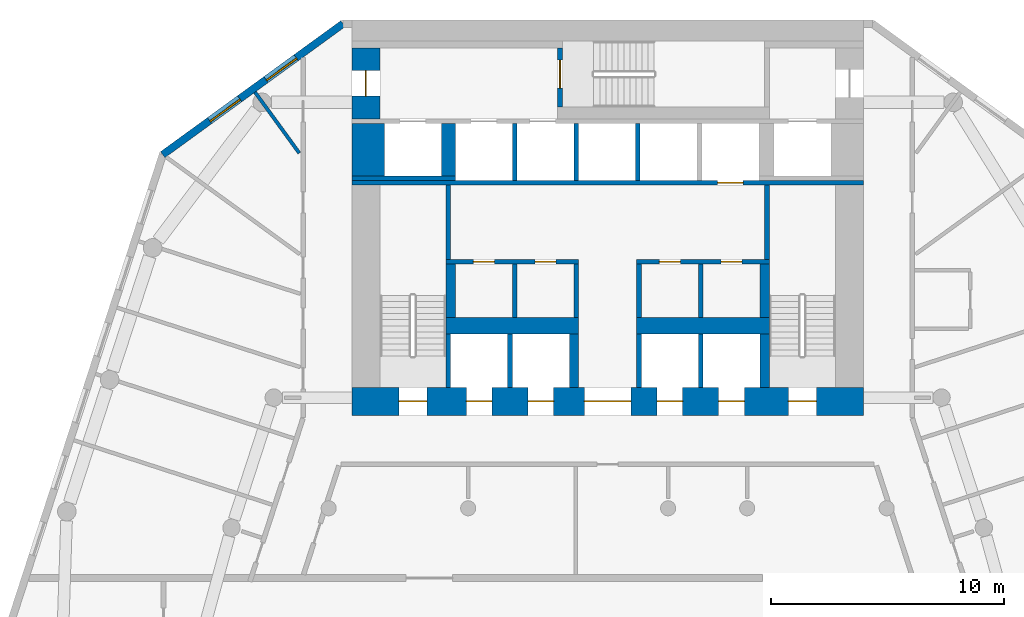
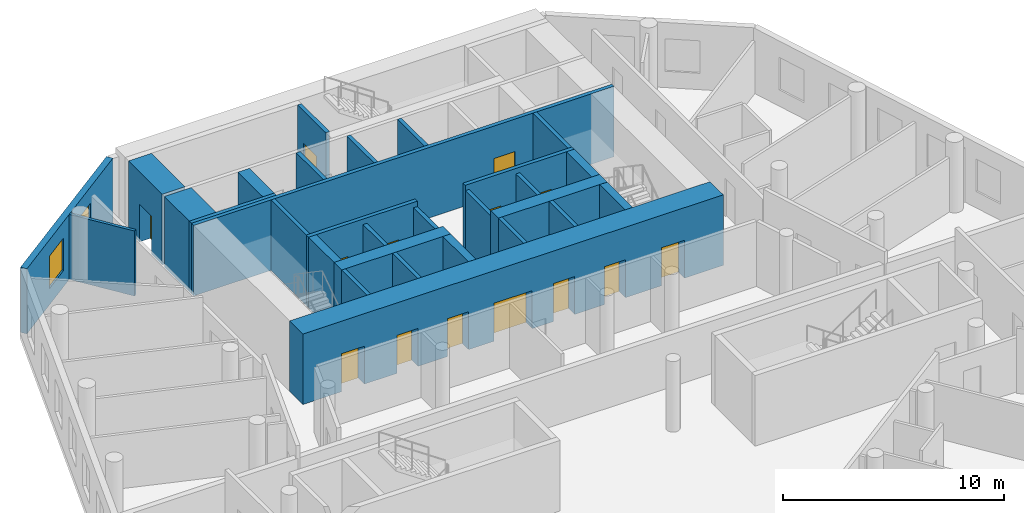
# One storey, part 5 of 9: 30 walls, 14 doors, 2 windows, 16 openings.
"""IFC4 building model written with IfcOpenShell, lengths in metres."""

from ifc_helpers import new_model, si_unit, direction, frame, frame_2d, origin, place, context, subcontext, project, spatial, rectangle, extrude, material, layer, layer_set, type_object, element, fill, save


model = new_model("IFC4")

# Units and contexts
model_context = context("Model", 3, precision=1e-05, world=origin(), true_north=direction((0.0, 1.0)))
body_context = subcontext(model_context, "Body", "Model", "MODEL_VIEW")
ifc_project = project(units=[si_unit("LENGTHUNIT", "METRE"), si_unit("AREAUNIT", "SQUARE_METRE"), si_unit("VOLUMEUNIT", "CUBIC_METRE"), si_unit("PLANEANGLEUNIT", "RADIAN"), si_unit("MASSUNIT", "GRAM", prefix="KILO")], contexts=[model_context])

# Site, building, storey
site_placement = place(None, origin())
site = spatial("IfcSite", under=ifc_project, at=site_placement, CompositionType="ELEMENT")
building_placement = place(site_placement, origin())
building = spatial("IfcBuilding", under=site, at=building_placement, Name="White Candle Pilgrim Tower", CompositionType="ELEMENT")
storey_placement = place(building_placement, frame((0.0, 0.0, 50.699951171875)))
storey = spatial("IfcBuildingStorey", under=building, at=storey_placement, Name="L09", CompositionType="ELEMENT", Elevation=50.699951171875)

# Wall, opening, door
ifc_material_1 = material(Name="Concrete C70/85", Category="concrete")
ifc_layer_1 = layer(ifc_material_1, 1.199951171875)
ifc_layer_set_1 = layer_set([ifc_layer_1], Name="Core wall 1200 mm Concrete C70/85")
wall_type_1 = type_object("IfcWallType", Name="Core wall 1200 mm Concrete C70/85", PredefinedType="SHEAR", material=ifc_layer_set_1)
wall_1_placement = place(storey_placement, frame((59.60009765625, 83.75, 0.0), z_axis=(0.0, 0.0, 1.0), x_axis=(0.0, 1.0, 0.0)))
wall_1 = element("IfcWall", 1, at=wall_1_placement, inside=storey, type_object=wall_type_1, Name="WL-L09-C44", PredefinedType="SHEAR", context=body_context, shape_type="SweptSolid", body=[
    extrude(rectangle(XDim=3.050048828125, YDim=1.199951171875, at=frame_2d((1.52490234375, 0.0))), origin(), (0.0, 0.0, 1.0), 3.900146484375),
])
opening_1_placement = place(wall_1_placement, frame((0.97509765625, 0.0, 0.0)))
opening_1 = element("IfcOpeningElement", 2, at=opening_1_placement, cuts=wall_1, Name="Opening T02-005", PredefinedType="OPENING", context=body_context, shape_type="SweptSolid", body=[
    extrude(rectangle(XDim=1.10009765625, YDim=2.10009765625, at=frame_2d((0.550048828125, 1.050048828125))), frame((0.0, 0.60986328125, 0.0), z_axis=(0.0, -1.0, 0.0), x_axis=(1.0, 0.0, 0.0)), (0.0, 0.0, 1.0), 1.219970703125),
])
ifc_material_2 = material(Name="Steel door leaf", Category="steel")
door_type_1 = type_object("IfcDoorType", Name="Fire door 1100 x 2100 EI 60", OperationType="NOTDEFINED", PredefinedType="DOOR", material=ifc_material_2)
door_1_placement = place(opening_1_placement, origin())
door_1 = element("IfcDoor", 3, at=door_1_placement, inside=storey, type_object=door_type_1, Name="Door T02-005", OperationType="SINGLE_SWING_LEFT", OverallHeight=2.10009765625, OverallWidth=1.10009765625, PredefinedType="DOOR", context=body_context, shape_type="SweptSolid", body=[
    extrude(rectangle(XDim=1.10009765625, YDim=2.10009765625, at=frame_2d((0.550048828125, 1.050048828125))), frame((0.0, 0.02490234375, 0.0), z_axis=(0.0, -1.0, 0.0), x_axis=(1.0, 0.0, 0.0)), (0.0, 0.0, 1.0), 0.050048828125),
])
fill(opening_1, door_1)

# Walls
ifc_layer_2 = layer(ifc_material_1, 1.39990234375)
ifc_layer_set_2 = layer_set([ifc_layer_2], Name="Core wall 1400 mm Concrete C70/85")
wall_type_2 = type_object("IfcWallType", Name="Core wall 1400 mm Concrete C70/85", PredefinedType="SHEAR", material=ifc_layer_set_2)
wall_2_placement = place(storey_placement, frame((59.699951171875, 81.300048828125, 0.0), z_axis=(0.0, 0.0, 1.0), x_axis=(0.0, 1.0, 0.0)))
element("IfcWall", 4, at=wall_2_placement, inside=storey, type_object=wall_type_2, Name="WL-L09-C39", PredefinedType="SHEAR", context=body_context, shape_type="SweptSolid", body=[
    extrude(rectangle(XDim=2.25, YDim=1.39990234375, at=frame_2d((1.125, 0.0))), origin(), (0.0, 0.0, 1.0), 3.900146484375),
])
ifc_layer_3 = layer(ifc_material_1, 0.199951171875)
ifc_layer_set_3 = layer_set([ifc_layer_3], Name="Core wall 200 mm Concrete C70/85")
wall_type_3 = type_object("IfcWallType", Name="Core wall 200 mm Concrete C70/85", PredefinedType="SHEAR", material=ifc_layer_set_3)
wall_3_placement = place(storey_placement, frame((59.0, 81.199951171875, 0.0), z_axis=(0.0, 0.0, 1.0), x_axis=(1.0, 0.0, 0.0)))
element("IfcWall", 5, at=wall_3_placement, inside=storey, type_object=wall_type_3, Name="WL-L09-C33", PredefinedType="SHEAR", context=body_context, shape_type="SweptSolid", body=[
    extrude(rectangle(XDim=4.449951171875, YDim=0.199951171875, at=frame_2d((2.22509765625, 0.0))), origin(), (0.0, 0.0, 1.0), 3.900146484375),
])

# Wall, openings, windows
ifc_material_3 = material(Name="Precast concrete C40/50", Category="concrete")
ifc_layer_4 = layer(ifc_material_3, 0.320068359375)
ifc_layer_set_4 = layer_set([ifc_layer_4], Name="Facade wall EW1 precast concrete C40/50 pier wall with timber-lined reveals")
wall_type_4 = type_object("IfcWallType", Name="Facade wall EW1 precast concrete C40/50 pier wall with timber-lined reveals", PredefinedType="SOLIDWALL", material=ifc_layer_set_4)
wall_4_placement = place(storey_placement, frame((58.614990234375, 87.840087890625, 0.0), z_axis=(0.0, 0.0, 1.0), x_axis=(-0.809021430096, -0.587779146998, 0.0)))
wall_4 = element("IfcWall", 6, at=wall_4_placement, inside=storey, type_object=wall_type_4, Name="Facade wall L09 NW chamfer", PredefinedType="SOLIDWALL", context=body_context, shape_type="SweptSolid", body=[
    extrude(rectangle(XDim=9.57958984375, YDim=0.320068359375, at=frame_2d((4.789794921875, 0.0))), origin(), (0.0, 0.0, 1.0), 3.60009765625),
])
opening_2_placement = place(wall_4_placement, frame((2.48974609375, 0.0, 0.89990234375)))
opening_2 = element("IfcOpeningElement", 7, at=opening_2_placement, cuts=wall_4, Name="Opening W2", PredefinedType="OPENING", context=body_context, shape_type="SweptSolid", body=[
    extrude(rectangle(XDim=1.60009765625, YDim=1.800048828125, at=frame_2d((0.800048828125, 0.89990234375))), frame((0.0, 0.169921875, 0.0), z_axis=(0.0, -1.0, 0.0), x_axis=(1.0, 0.0, 0.0)), (0.0, 0.0, 1.0), 0.340087890625),
])
opening_3_placement = place(wall_4_placement, frame((5.48974609375, 0.0, 0.89990234375)))
opening_3 = element("IfcOpeningElement", 8, at=opening_3_placement, cuts=wall_4, Name="Opening W2", PredefinedType="OPENING", context=body_context, shape_type="SweptSolid", body=[
    extrude(rectangle(XDim=1.60009765625, YDim=1.800048828125, at=frame_2d((0.800048828125, 0.89990234375))), frame((0.0, 0.169921875, 0.0), z_axis=(0.0, -1.0, 0.0), x_axis=(1.0, 0.0, 0.0)), (0.0, 0.0, 1.0), 0.340087890625),
])
ifc_material_4 = material(Name="Timber frame with triple glazing", Category="wood")
window_type = type_object("IfcWindowType", Name="Window W2 1600x1800 timber frame triple glazing", PartitioningType="SINGLE_PANEL", PredefinedType="WINDOW", material=ifc_material_4)
window_1_placement = place(opening_2_placement, origin())
window_1 = element("IfcWindow", 9, at=window_1_placement, inside=storey, type_object=window_type, Name="Window W2 L09 NW chamfer 1", OverallHeight=1.800048828125, OverallWidth=1.60009765625, PartitioningType="SINGLE_PANEL", PredefinedType="WINDOW", context=body_context, shape_type="SweptSolid", body=[
    extrude(rectangle(XDim=1.60009765625, YDim=1.800048828125, at=frame_2d((0.800048828125, 0.89990234375))), frame((0.0, 0.070068359375, 0.0), z_axis=(0.0, -1.0, 0.0), x_axis=(1.0, 0.0, 0.0)), (0.0, 0.0, 1.0), 0.06005859375),
])
fill(opening_2, window_1)
window_2_placement = place(opening_3_placement, origin())
window_2 = element("IfcWindow", 10, at=window_2_placement, inside=storey, type_object=window_type, Name="Window W2 L09 NW chamfer 2", OverallHeight=1.800048828125, OverallWidth=1.60009765625, PartitioningType="SINGLE_PANEL", PredefinedType="WINDOW", context=body_context, shape_type="SweptSolid", body=[
    extrude(rectangle(XDim=1.60009765625, YDim=1.800048828125, at=frame_2d((0.800048828125, 0.89990234375))), frame((0.0, 0.070068359375, 0.0), z_axis=(0.0, -1.0, 0.0), x_axis=(1.0, 0.0, 0.0)), (0.0, 0.0, 1.0), 0.06005859375),
])
fill(opening_3, window_2)

# Walls
ifc_material_5 = material(Name="Gypsum board on steel studs", Category="steel")
ifc_layer_5 = layer(ifc_material_5, 0.199951171875)
ifc_layer_set_5 = layer_set([ifc_layer_5], Name="Lobby wall 200 mm EI 60")
wall_type_5 = type_object("IfcWallType", Name="Lobby wall 200 mm EI 60", PredefinedType="PARTITIONING", material=ifc_layer_set_5)
for number, where, z_axis, x_axis, name in (
    (11, (66.0, 75.199951171875, 0.0), (0.0, 0.0, 1.0), (0.0, 1.0, 0.0), "WL-L09-C23"),
    (12, (68.64990234375, 75.199951171875, 0.0), (0.0, 0.0, 1.0), (0.0, 1.0, 0.0), "WL-L09-C24"),
    (13, (71.35009765625, 75.199951171875, 0.0), (0.0, 0.0, 1.0), (0.0, 1.0, 0.0), "WL-L09-C25"),
    (14, (74.0, 75.199951171875, 0.0), (0.0, 0.0, 1.0), (0.0, 1.0, 0.0), "WL-L09-C26"),
):
    element("IfcWall", number, at=place(storey_placement, frame(where, z_axis=z_axis, x_axis=x_axis)), inside=storey, type_object=wall_type_5, Name=name, PredefinedType="PARTITIONING", context=body_context, shape_type="SweptSolid", body=[
        extrude(rectangle(XDim=2.300048828125, YDim=0.199951171875, at=frame_2d((1.14990234375, 0.0))), origin(), (0.0, 0.0, 1.0), 3.60009765625),
    ])
ifc_layer_6 = layer(ifc_material_5, 0.14990234375)
ifc_layer_set_6 = layer_set([ifc_layer_6], Name="Partition 150 mm EI 60")
wall_type_6 = type_object("IfcWallType", Name="Partition 150 mm EI 60", PredefinedType="PARTITIONING", material=ifc_layer_set_6)
wall_5_placement = place(storey_placement, frame((54.833984375, 84.895263671875, 0.0), z_axis=(0.0, 0.0, 1.0), x_axis=(0.587795442354, -0.809009590764, 0.0)))
element("IfcWall", 15, at=wall_5_placement, inside=storey, type_object=wall_type_6, Name="WL-L09-P024", PredefinedType="PARTITIONING", context=body_context, shape_type="SweptSolid", body=[
    extrude(rectangle(XDim=3.241455078125, YDim=0.14990234375, at=frame_2d((1.62060546875, 0.0))), origin(), (0.0, 0.0, 1.0), 3.60009765625),
])
ifc_layer_7 = layer(ifc_material_1, 0.199951171875)
ifc_layer_set_7 = layer_set([ifc_layer_7], Name="Shaft wall 200 mm Concrete C70/85")
wall_type_7 = type_object("IfcWallType", Name="Shaft wall 200 mm Concrete C70/85", PredefinedType="SHEAR", material=ifc_layer_set_7)
for number, where, z_axis, x_axis, name in (
    (16, (65.800048828125, 72.199951171875, 0.0), (0.0, 0.0, 1.0), (0.0, 1.0, 0.0), "WL-L09-C14"),
    (17, (71.35009765625, 72.199951171875, 0.0), (0.0, 0.0, 1.0), (0.0, 1.0, 0.0), "WL-L09-C16"),
    (18, (74.0, 72.199951171875, 0.0), (0.0, 0.0, 1.0), (0.0, 1.0, 0.0), "WL-L09-C17"),
):
    element("IfcWall", number, at=place(storey_placement, frame(where, z_axis=z_axis, x_axis=x_axis)), inside=storey, type_object=wall_type_7, Name=name, PredefinedType="SHEAR", context=body_context, shape_type="SweptSolid", body=[
        extrude(rectangle(XDim=2.300048828125, YDim=0.199951171875, at=frame_2d((1.14990234375, 0.0))), origin(), (0.0, 0.0, 1.0), 3.900146484375),
    ])
for number, where, z_axis, x_axis, name in (
    (19, (66.0, 81.10009765625, 0.0), (0.0, 0.0, 1.0), (0.0, 1.0, 0.0), "WL-L09-C34"),
    (20, (68.64990234375, 81.10009765625, 0.0), (0.0, 0.0, 1.0), (0.0, 1.0, 0.0), "WL-L09-C35"),
    (21, (71.300048828125, 81.10009765625, 0.0), (0.0, 0.0, 1.0), (0.0, 1.0, 0.0), "WL-L09-C36"),
):
    element("IfcWall", number, at=place(storey_placement, frame(where, z_axis=z_axis, x_axis=x_axis)), inside=storey, type_object=wall_type_7, Name=name, PredefinedType="SHEAR", context=body_context, shape_type="SweptSolid", body=[
        extrude(rectangle(XDim=2.449951171875, YDim=0.199951171875, at=frame_2d((1.22509765625, 0.0))), origin(), (0.0, 0.0, 1.0), 3.900146484375),
    ])
ifc_layer_8 = layer(ifc_material_1, 0.39990234375)
ifc_layer_set_8 = layer_set([ifc_layer_8], Name="Shaft wall 400 mm Concrete C70/85")
wall_type_8 = type_object("IfcWallType", Name="Shaft wall 400 mm Concrete C70/85", PredefinedType="SHEAR", material=ifc_layer_set_8)
wall_6_placement = place(storey_placement, frame((68.550048828125, 72.199951171875, 0.0), z_axis=(0.0, 0.0, 1.0), x_axis=(0.0, 1.0, 0.0)))
element("IfcWall", 22, at=wall_6_placement, inside=storey, type_object=wall_type_8, Name="WL-L09-C15", PredefinedType="SHEAR", context=body_context, shape_type="SweptSolid", body=[
    extrude(rectangle(XDim=2.300048828125, YDim=0.39990234375, at=frame_2d((1.14990234375, 0.0))), origin(), (0.0, 0.0, 1.0), 3.900146484375),
])
ifc_layer_9 = layer(ifc_material_1, 0.60009765625)
ifc_layer_set_9 = layer_set([ifc_layer_9], Name="Shaft wall 600 mm Concrete C70/85")
wall_type_9 = type_object("IfcWallType", Name="Shaft wall 600 mm Concrete C70/85", PredefinedType="SHEAR", material=ifc_layer_set_9)
wall_7_placement = place(storey_placement, frame((63.14990234375, 81.300048828125, 0.0), z_axis=(0.0, 0.0, 1.0), x_axis=(0.0, 1.0, 0.0)))
element("IfcWall", 23, at=wall_7_placement, inside=storey, type_object=wall_type_9, Name="WL-L09-C40", PredefinedType="SHEAR", context=body_context, shape_type="SweptSolid", body=[
    extrude(rectangle(XDim=2.25, YDim=0.60009765625, at=frame_2d((1.125, 0.0))), origin(), (0.0, 0.0, 1.0), 3.900146484375),
])

# Wall, openings, doors
ifc_layer_10 = layer(ifc_material_1, 1.199951171875)
ifc_layer_set_10 = layer_set([ifc_layer_10], Name="Stair shaft wall 1200 mm Concrete C70/85")
wall_type_10 = type_object("IfcWallType", Name="Stair shaft wall 1200 mm Concrete C70/85", PredefinedType="SHEAR", material=ifc_layer_set_10)
wall_8_placement = place(storey_placement, frame((59.0, 71.60009765625, 0.0), z_axis=(0.0, 0.0, 1.0), x_axis=(1.0, 0.0, 0.0)))
wall_8 = element("IfcWall", 24, at=wall_8_placement, inside=storey, type_object=wall_type_10, Name="WL-L09-C11", PredefinedType="SHEAR", context=body_context, shape_type="SweptSolid", body=[
    extrude(rectangle(XDim=22.0, YDim=1.199951171875, at=frame_2d((11.0, 0.0))), origin(), (0.0, 0.0, 1.0), 3.900146484375),
])
opening_4_placement = place(wall_8_placement, frame((2.02490234375, 0.0, 0.0)))
opening_4 = element("IfcOpeningElement", 25, at=opening_4_placement, cuts=wall_8, Name="Opening T02-001", PredefinedType="OPENING", context=body_context, shape_type="SweptSolid", body=[
    extrude(rectangle(XDim=1.199951171875, YDim=2.10009765625, at=frame_2d((0.60009765625, 1.050048828125))), frame((0.0, 0.60986328125, 0.0), z_axis=(0.0, -1.0, 0.0), x_axis=(1.0, 0.0, 0.0)), (0.0, 0.0, 1.0), 1.219970703125),
])
opening_5_placement = place(wall_8_placement, frame((18.77490234375, 0.0, 0.0)))
opening_5 = element("IfcOpeningElement", 26, at=opening_5_placement, cuts=wall_8, Name="Opening T02-002", PredefinedType="OPENING", context=body_context, shape_type="SweptSolid", body=[
    extrude(rectangle(XDim=1.199951171875, YDim=2.10009765625, at=frame_2d((0.60009765625, 1.050048828125))), frame((0.0, 0.60986328125, 0.0), z_axis=(0.0, -1.0, 0.0), x_axis=(1.0, 0.0, 0.0)), (0.0, 0.0, 1.0), 1.219970703125),
])
opening_6_placement = place(wall_8_placement, frame((10.0, 0.0, 0.0)))
opening_6 = element("IfcOpeningElement", 27, at=opening_6_placement, cuts=wall_8, Name="Opening T02-004", PredefinedType="OPENING", context=body_context, shape_type="SweptSolid", body=[
    extrude(rectangle(XDim=2.0, YDim=2.10009765625, at=frame_2d((1.0, 1.050048828125))), frame((0.0, 0.60986328125, 0.0), z_axis=(0.0, -1.0, 0.0), x_axis=(1.0, 0.0, 0.0)), (0.0, 0.0, 1.0), 1.219970703125),
])
opening_7_placement = place(wall_8_placement, frame((4.925048828125, 0.0, 0.0)))
opening_7 = element("IfcOpeningElement", 28, at=opening_7_placement, cuts=wall_8, Name="Opening T02-014", PredefinedType="OPENING", context=body_context, shape_type="SweptSolid", body=[
    extrude(rectangle(XDim=1.10009765625, YDim=2.10009765625, at=frame_2d((0.550048828125, 1.050048828125))), frame((0.0, 0.60986328125, 0.0), z_axis=(0.0, -1.0, 0.0), x_axis=(1.0, 0.0, 0.0)), (0.0, 0.0, 1.0), 1.219970703125),
])
opening_8_placement = place(wall_8_placement, frame((7.574951171875, 0.0, 0.0)))
opening_8 = element("IfcOpeningElement", 29, at=opening_8_placement, cuts=wall_8, Name="Opening T02-015", PredefinedType="OPENING", context=body_context, shape_type="SweptSolid", body=[
    extrude(rectangle(XDim=1.10009765625, YDim=2.10009765625, at=frame_2d((0.550048828125, 1.050048828125))), frame((0.0, 0.60986328125, 0.0), z_axis=(0.0, -1.0, 0.0), x_axis=(1.0, 0.0, 0.0)), (0.0, 0.0, 1.0), 1.219970703125),
])
opening_9_placement = place(wall_8_placement, frame((13.125, 0.0, 0.0)))
opening_9 = element("IfcOpeningElement", 30, at=opening_9_placement, cuts=wall_8, Name="Opening T02-016", PredefinedType="OPENING", context=body_context, shape_type="SweptSolid", body=[
    extrude(rectangle(XDim=1.10009765625, YDim=2.10009765625, at=frame_2d((0.550048828125, 1.050048828125))), frame((0.0, 0.60986328125, 0.0), z_axis=(0.0, -1.0, 0.0), x_axis=(1.0, 0.0, 0.0)), (0.0, 0.0, 1.0), 1.219970703125),
])
opening_10_placement = place(wall_8_placement, frame((15.77490234375, 0.0, 0.0)))
opening_10 = element("IfcOpeningElement", 31, at=opening_10_placement, cuts=wall_8, Name="Opening T02-017", PredefinedType="OPENING", context=body_context, shape_type="SweptSolid", body=[
    extrude(rectangle(XDim=1.10009765625, YDim=2.10009765625, at=frame_2d((0.550048828125, 1.050048828125))), frame((0.0, 0.60986328125, 0.0), z_axis=(0.0, -1.0, 0.0), x_axis=(1.0, 0.0, 0.0)), (0.0, 0.0, 1.0), 1.219970703125),
])
door_type_2 = type_object("IfcDoorType", Name="Fire door 1200 x 2100 EI 60", OperationType="NOTDEFINED", PredefinedType="DOOR", material=ifc_material_2)
door_2_placement = place(opening_4_placement, frame((1.199951171875, 0.0, 0.0), z_axis=(0.0, 0.0, 1.0), x_axis=(-1.0, 0.0, 0.0)))
door_2 = element("IfcDoor", 32, at=door_2_placement, inside=storey, type_object=door_type_2, Name="Door T02-001", OperationType="SINGLE_SWING_RIGHT", OverallHeight=2.10009765625, OverallWidth=1.199951171875, PredefinedType="DOOR", context=body_context, shape_type="SweptSolid", body=[
    extrude(rectangle(XDim=1.199951171875, YDim=2.10009765625, at=frame_2d((0.60009765625, 1.050048828125))), frame((0.0, 0.02490234375, 0.0), z_axis=(0.0, -1.0, 0.0), x_axis=(1.0, 0.0, 0.0)), (0.0, 0.0, 1.0), 0.050048828125),
])
fill(opening_4, door_2)
door_3_placement = place(opening_5_placement, frame((1.199951171875, 0.0, 0.0), z_axis=(0.0, 0.0, 1.0), x_axis=(-1.0, 0.0, 0.0)))
door_3 = element("IfcDoor", 33, at=door_3_placement, inside=storey, type_object=door_type_2, Name="Door T02-002", OperationType="SINGLE_SWING_LEFT", OverallHeight=2.10009765625, OverallWidth=1.199951171875, PredefinedType="DOOR", context=body_context, shape_type="SweptSolid", body=[
    extrude(rectangle(XDim=1.199951171875, YDim=2.10009765625, at=frame_2d((0.60009765625, 1.050048828125))), frame((0.0, 0.02490234375, 0.0), z_axis=(0.0, -1.0, 0.0), x_axis=(1.0, 0.0, 0.0)), (0.0, 0.0, 1.0), 0.050048828125),
])
fill(opening_5, door_3)
door_type_3 = type_object("IfcDoorType", Name="Fire door 2000 x 2100 EI 60", OperationType="NOTDEFINED", PredefinedType="DOOR", material=ifc_material_2)
door_4_placement = place(opening_6_placement, frame((2.0, 0.0, 0.0), z_axis=(0.0, 0.0, 1.0), x_axis=(-1.0, 0.0, 0.0)))
door_4 = element("IfcDoor", 34, at=door_4_placement, inside=storey, type_object=door_type_3, Name="Door T02-004", OperationType="DOUBLE_DOOR_SINGLE_SWING", OverallHeight=2.10009765625, OverallWidth=2.0, PredefinedType="DOOR", context=body_context, shape_type="SweptSolid", body=[
    extrude(rectangle(XDim=2.0, YDim=2.10009765625, at=frame_2d((1.0, 1.050048828125))), frame((0.0, 0.02490234375, 0.0), z_axis=(0.0, -1.0, 0.0), x_axis=(1.0, 0.0, 0.0)), (0.0, 0.0, 1.0), 0.050048828125),
])
fill(opening_6, door_4)
ifc_material_6 = material(Name="Stainless steel", Category="steel")
door_type_4 = type_object("IfcDoorType", Name="Lift landing door 1100 x 2100 E 60", OperationType="DOUBLE_DOOR_SLIDING", PredefinedType="DOOR", material=ifc_material_6)
door_5_placement = place(opening_7_placement, origin())
door_5 = element("IfcDoor", 35, at=door_5_placement, inside=storey, type_object=door_type_4, Name="Door T02-014", OperationType="DOUBLE_DOOR_SLIDING", OverallHeight=2.10009765625, OverallWidth=1.10009765625, PredefinedType="DOOR", context=body_context, shape_type="SweptSolid", body=[
    extrude(rectangle(XDim=1.10009765625, YDim=2.10009765625, at=frame_2d((0.550048828125, 1.050048828125))), frame((0.0, 0.02490234375, 0.0), z_axis=(0.0, -1.0, 0.0), x_axis=(1.0, 0.0, 0.0)), (0.0, 0.0, 1.0), 0.050048828125),
])
fill(opening_7, door_5)
door_6_placement = place(opening_8_placement, origin())
door_6 = element("IfcDoor", 36, at=door_6_placement, inside=storey, type_object=door_type_4, Name="Door T02-015", OperationType="DOUBLE_DOOR_SLIDING", OverallHeight=2.10009765625, OverallWidth=1.10009765625, PredefinedType="DOOR", context=body_context, shape_type="SweptSolid", body=[
    extrude(rectangle(XDim=1.10009765625, YDim=2.10009765625, at=frame_2d((0.550048828125, 1.050048828125))), frame((0.0, 0.02490234375, 0.0), z_axis=(0.0, -1.0, 0.0), x_axis=(1.0, 0.0, 0.0)), (0.0, 0.0, 1.0), 0.050048828125),
])
fill(opening_8, door_6)
door_7_placement = place(opening_9_placement, origin())
door_7 = element("IfcDoor", 37, at=door_7_placement, inside=storey, type_object=door_type_4, Name="Door T02-016", OperationType="DOUBLE_DOOR_SLIDING", OverallHeight=2.10009765625, OverallWidth=1.10009765625, PredefinedType="DOOR", context=body_context, shape_type="SweptSolid", body=[
    extrude(rectangle(XDim=1.10009765625, YDim=2.10009765625, at=frame_2d((0.550048828125, 1.050048828125))), frame((0.0, 0.02490234375, 0.0), z_axis=(0.0, -1.0, 0.0), x_axis=(1.0, 0.0, 0.0)), (0.0, 0.0, 1.0), 0.050048828125),
])
fill(opening_9, door_7)
door_8_placement = place(opening_10_placement, origin())
door_8 = element("IfcDoor", 38, at=door_8_placement, inside=storey, type_object=door_type_4, Name="Door T02-017", OperationType="DOUBLE_DOOR_SLIDING", OverallHeight=2.10009765625, OverallWidth=1.10009765625, PredefinedType="DOOR", context=body_context, shape_type="SweptSolid", body=[
    extrude(rectangle(XDim=1.10009765625, YDim=2.10009765625, at=frame_2d((0.550048828125, 1.050048828125))), frame((0.0, 0.02490234375, 0.0), z_axis=(0.0, -1.0, 0.0), x_axis=(1.0, 0.0, 0.0)), (0.0, 0.0, 1.0), 0.050048828125),
])
fill(opening_10, door_8)

# Wall
ifc_layer_11 = layer(ifc_material_1, 0.199951171875)
ifc_layer_set_11 = layer_set([ifc_layer_11], Name="Stair shaft wall 200 mm Concrete C70/85")
wall_type_11 = type_object("IfcWallType", Name="Stair shaft wall 200 mm Concrete C70/85", PredefinedType="SHEAR", material=ifc_layer_set_11)
wall_9_placement = place(storey_placement, frame((63.14990234375, 72.199951171875, 0.0), z_axis=(0.0, 0.0, 1.0), x_axis=(0.0, 1.0, 0.0)))
element("IfcWall", 39, at=wall_9_placement, inside=storey, type_object=wall_type_11, Name="WL-L09-C13", PredefinedType="SHEAR", context=body_context, shape_type="SweptSolid", body=[
    extrude(rectangle(XDim=2.300048828125, YDim=0.199951171875, at=frame_2d((1.14990234375, 0.0))), origin(), (0.0, 0.0, 1.0), 3.900146484375),
])

# Wall, openings, doors
wall_10_placement = place(storey_placement, frame((63.050048828125, 77.60009765625, 0.0), z_axis=(0.0, 0.0, 1.0), x_axis=(1.0, 0.0, 0.0)))
wall_10 = element("IfcWall", 40, at=wall_10_placement, inside=storey, type_object=wall_type_11, Name="WL-L09-C28", PredefinedType="SHEAR", context=body_context, shape_type="SweptSolid", body=[
    extrude(rectangle(XDim=5.699951171875, YDim=0.199951171875, at=frame_2d((2.85009765625, 0.0))), origin(), (0.0, 0.0, 1.0), 3.900146484375),
])
opening_11_placement = place(wall_10_placement, frame((1.175048828125, 0.0, 0.0)))
opening_11 = element("IfcOpeningElement", 41, at=opening_11_placement, cuts=wall_10, Name="Opening T02-020", PredefinedType="OPENING", context=body_context, shape_type="SweptSolid", body=[
    extrude(rectangle(XDim=0.89990234375, YDim=2.10009765625, at=frame_2d((0.449951171875, 1.050048828125))), frame((0.0, 0.10986328125, 0.0), z_axis=(0.0, -1.0, 0.0), x_axis=(1.0, 0.0, 0.0)), (0.0, 0.0, 1.0), 0.219970703125),
])
opening_12_placement = place(wall_10_placement, frame((3.824951171875, 0.0, 0.0)))
opening_12 = element("IfcOpeningElement", 42, at=opening_12_placement, cuts=wall_10, Name="Opening T02-021", PredefinedType="OPENING", context=body_context, shape_type="SweptSolid", body=[
    extrude(rectangle(XDim=0.89990234375, YDim=2.10009765625, at=frame_2d((0.449951171875, 1.050048828125))), frame((0.0, 0.10986328125, 0.0), z_axis=(0.0, -1.0, 0.0), x_axis=(1.0, 0.0, 0.0)), (0.0, 0.0, 1.0), 0.219970703125),
])
door_type_5 = type_object("IfcDoorType", Name="Fire door 900 x 2100 EI 30", OperationType="NOTDEFINED", PredefinedType="DOOR", material=ifc_material_2)
door_9_placement = place(opening_11_placement, origin())
door_9 = element("IfcDoor", 43, at=door_9_placement, inside=storey, type_object=door_type_5, Name="Door T02-020", OperationType="SINGLE_SWING_RIGHT", OverallHeight=2.10009765625, OverallWidth=0.89990234375, PredefinedType="DOOR", context=body_context, shape_type="SweptSolid", body=[
    extrude(rectangle(XDim=0.89990234375, YDim=2.10009765625, at=frame_2d((0.449951171875, 1.050048828125))), frame((0.0, 0.02490234375, 0.0), z_axis=(0.0, -1.0, 0.0), x_axis=(1.0, 0.0, 0.0)), (0.0, 0.0, 1.0), 0.050048828125),
])
fill(opening_11, door_9)
door_10_placement = place(opening_12_placement, origin())
door_10 = element("IfcDoor", 44, at=door_10_placement, inside=storey, type_object=door_type_5, Name="Door T02-021", OperationType="SINGLE_SWING_LEFT", OverallHeight=2.10009765625, OverallWidth=0.89990234375, PredefinedType="DOOR", context=body_context, shape_type="SweptSolid", body=[
    extrude(rectangle(XDim=0.89990234375, YDim=2.10009765625, at=frame_2d((0.449951171875, 1.050048828125))), frame((0.0, 0.02490234375, 0.0), z_axis=(0.0, -1.0, 0.0), x_axis=(1.0, 0.0, 0.0)), (0.0, 0.0, 1.0), 0.050048828125),
])
fill(opening_12, door_10)

wall_11_placement = place(storey_placement, frame((71.25, 77.60009765625, 0.0), z_axis=(0.0, 0.0, 1.0), x_axis=(1.0, 0.0, 0.0)))
wall_11 = element("IfcWall", 45, at=wall_11_placement, inside=storey, type_object=wall_type_11, Name="WL-L09-C29", PredefinedType="SHEAR", context=body_context, shape_type="SweptSolid", body=[
    extrude(rectangle(XDim=5.699951171875, YDim=0.199951171875, at=frame_2d((2.85009765625, 0.0))), origin(), (0.0, 0.0, 1.0), 3.900146484375),
])
opening_13_placement = place(wall_11_placement, frame((0.97509765625, 0.0, 0.0)))
opening_13 = element("IfcOpeningElement", 46, at=opening_13_placement, cuts=wall_11, Name="Opening T02-022", PredefinedType="OPENING", context=body_context, shape_type="SweptSolid", body=[
    extrude(rectangle(XDim=0.89990234375, YDim=2.10009765625, at=frame_2d((0.449951171875, 1.050048828125))), frame((0.0, 0.10986328125, 0.0), z_axis=(0.0, -1.0, 0.0), x_axis=(1.0, 0.0, 0.0)), (0.0, 0.0, 1.0), 0.219970703125),
])
opening_14_placement = place(wall_11_placement, frame((3.625, 0.0, 0.0)))
opening_14 = element("IfcOpeningElement", 47, at=opening_14_placement, cuts=wall_11, Name="Opening T02-023", PredefinedType="OPENING", context=body_context, shape_type="SweptSolid", body=[
    extrude(rectangle(XDim=0.89990234375, YDim=2.10009765625, at=frame_2d((0.449951171875, 1.050048828125))), frame((0.0, 0.10986328125, 0.0), z_axis=(0.0, -1.0, 0.0), x_axis=(1.0, 0.0, 0.0)), (0.0, 0.0, 1.0), 0.219970703125),
])
door_11_placement = place(opening_13_placement, origin())
door_11 = element("IfcDoor", 48, at=door_11_placement, inside=storey, type_object=door_type_5, Name="Door T02-022", OperationType="SINGLE_SWING_RIGHT", OverallHeight=2.10009765625, OverallWidth=0.89990234375, PredefinedType="DOOR", context=body_context, shape_type="SweptSolid", body=[
    extrude(rectangle(XDim=0.89990234375, YDim=2.10009765625, at=frame_2d((0.449951171875, 1.050048828125))), frame((0.0, 0.02490234375, 0.0), z_axis=(0.0, -1.0, 0.0), x_axis=(1.0, 0.0, 0.0)), (0.0, 0.0, 1.0), 0.050048828125),
])
fill(opening_13, door_11)
door_12_placement = place(opening_14_placement, origin())
door_12 = element("IfcDoor", 49, at=door_12_placement, inside=storey, type_object=door_type_5, Name="Door T02-023", OperationType="SINGLE_SWING_LEFT", OverallHeight=2.10009765625, OverallWidth=0.89990234375, PredefinedType="DOOR", context=body_context, shape_type="SweptSolid", body=[
    extrude(rectangle(XDim=0.89990234375, YDim=2.10009765625, at=frame_2d((0.449951171875, 1.050048828125))), frame((0.0, 0.02490234375, 0.0), z_axis=(0.0, -1.0, 0.0), x_axis=(1.0, 0.0, 0.0)), (0.0, 0.0, 1.0), 0.050048828125),
])
fill(opening_14, door_12)

# Walls
for number, where, z_axis, x_axis, name in (
    (50, (63.14990234375, 77.699951171875, 0.0), (0.0, 0.0, 1.0), (0.0, 1.0, 0.0), "WL-L09-C30"),
    (51, (76.85009765625, 77.699951171875, 0.0), (0.0, 0.0, 1.0), (0.0, 1.0, 0.0), "WL-L09-C31"),
):
    element("IfcWall", number, at=place(storey_placement, frame(where, z_axis=z_axis, x_axis=x_axis)), inside=storey, type_object=wall_type_11, Name=name, PredefinedType="SHEAR", context=body_context, shape_type="SweptSolid", body=[
        extrude(rectangle(XDim=3.199951171875, YDim=0.199951171875, at=frame_2d((1.60009765625, 0.0))), origin(), (0.0, 0.0, 1.0), 3.900146484375),
    ])

# Wall, opening, door
wall_12_placement = place(storey_placement, frame((59.0, 81.0, 0.0), z_axis=(0.0, 0.0, 1.0), x_axis=(1.0, 0.0, 0.0)))
wall_12 = element("IfcWall", 52, at=wall_12_placement, inside=storey, type_object=wall_type_11, Name="WL-L09-C32", PredefinedType="SHEAR", context=body_context, shape_type="SweptSolid", body=[
    extrude(rectangle(XDim=22.0, YDim=0.199951171875, at=frame_2d((11.0, 0.0))), origin(), (0.0, 0.0, 1.0), 3.900146484375),
])
opening_15_placement = place(wall_12_placement, frame((15.72509765625, 0.0, 0.0)))
opening_15 = element("IfcOpeningElement", 53, at=opening_15_placement, cuts=wall_12, Name="Opening T02-013", PredefinedType="OPENING", context=body_context, shape_type="SweptSolid", body=[
    extrude(rectangle(XDim=1.10009765625, YDim=2.10009765625, at=frame_2d((0.550048828125, 1.050048828125))), frame((0.0, 0.10986328125, 0.0), z_axis=(0.0, -1.0, 0.0), x_axis=(1.0, 0.0, 0.0)), (0.0, 0.0, 1.0), 0.219970703125),
])
door_13_placement = place(opening_15_placement, origin())
door_13 = element("IfcDoor", 54, at=door_13_placement, inside=storey, type_object=door_type_4, Name="Door T02-013", OperationType="DOUBLE_DOOR_SLIDING", OverallHeight=2.10009765625, OverallWidth=1.10009765625, PredefinedType="DOOR", context=body_context, shape_type="SweptSolid", body=[
    extrude(rectangle(XDim=1.10009765625, YDim=2.10009765625, at=frame_2d((0.550048828125, 1.050048828125))), frame((0.0, 0.02490234375, 0.0), z_axis=(0.0, -1.0, 0.0), x_axis=(1.0, 0.0, 0.0)), (0.0, 0.0, 1.0), 0.050048828125),
])
fill(opening_15, door_13)

wall_13_placement = place(storey_placement, frame((67.949951171875, 84.25, 0.0), z_axis=(0.0, 0.0, 1.0), x_axis=(0.0, 1.0, 0.0)))
wall_13 = element("IfcWall", 55, at=wall_13_placement, inside=storey, type_object=wall_type_11, Name="WL-L09-C47", PredefinedType="SHEAR", context=body_context, shape_type="SweptSolid", body=[
    extrude(rectangle(XDim=2.550048828125, YDim=0.199951171875, at=frame_2d((1.27490234375, 0.0))), origin(), (0.0, 0.0, 1.0), 3.900146484375),
])
opening_16_placement = place(wall_13_placement, frame((0.824951171875, 0.0, 0.0)))
opening_16 = element("IfcOpeningElement", 56, at=opening_16_placement, cuts=wall_13, Name="Opening T02-003", PredefinedType="OPENING", context=body_context, shape_type="SweptSolid", body=[
    extrude(rectangle(XDim=1.199951171875, YDim=2.10009765625, at=frame_2d((0.60009765625, 1.050048828125))), frame((0.0, 0.10986328125, 0.0), z_axis=(0.0, -1.0, 0.0), x_axis=(1.0, 0.0, 0.0)), (0.0, 0.0, 1.0), 0.219970703125),
])
door_14_placement = place(opening_16_placement, frame((1.199951171875, 0.0, 0.0), z_axis=(0.0, 0.0, 1.0), x_axis=(-1.0, 0.0, 0.0)))
door_14 = element("IfcDoor", 57, at=door_14_placement, inside=storey, type_object=door_type_2, Name="Door T02-003", OperationType="SINGLE_SWING_RIGHT", OverallHeight=2.10009765625, OverallWidth=1.199951171875, PredefinedType="DOOR", context=body_context, shape_type="SweptSolid", body=[
    extrude(rectangle(XDim=1.199951171875, YDim=2.10009765625, at=frame_2d((0.60009765625, 1.050048828125))), frame((0.0, 0.02490234375, 0.0), z_axis=(0.0, -1.0, 0.0), x_axis=(1.0, 0.0, 0.0)), (0.0, 0.0, 1.0), 0.050048828125),
])
fill(opening_16, door_14)

# Walls
ifc_layer_12 = layer(ifc_material_1, 0.39990234375)
ifc_layer_set_12 = layer_set([ifc_layer_12], Name="Stair shaft wall 400 mm Concrete C70/85")
wall_type_12 = type_object("IfcWallType", Name="Stair shaft wall 400 mm Concrete C70/85", PredefinedType="SHEAR", material=ifc_layer_set_12)
for number, where, z_axis, x_axis, name in (
    (58, (76.75, 72.199951171875, 0.0), (0.0, 0.0, 1.0), (0.0, 1.0, 0.0), "WL-L09-C18"),
    (59, (63.25, 75.199951171875, 0.0), (0.0, 0.0, 1.0), (0.0, 1.0, 0.0), "WL-L09-C22"),
    (60, (76.75, 75.199951171875, 0.0), (0.0, 0.0, 1.0), (0.0, 1.0, 0.0), "WL-L09-C27"),
):
    element("IfcWall", number, at=place(storey_placement, frame(where, z_axis=z_axis, x_axis=x_axis)), inside=storey, type_object=wall_type_12, Name=name, PredefinedType="SHEAR", context=body_context, shape_type="SweptSolid", body=[
        extrude(rectangle(XDim=2.300048828125, YDim=0.39990234375, at=frame_2d((1.14990234375, 0.0))), origin(), (0.0, 0.0, 1.0), 3.900146484375),
    ])
ifc_layer_13 = layer(ifc_material_1, 0.699951171875)
ifc_layer_set_13 = layer_set([ifc_layer_13], Name="Stair shaft wall 700 mm Concrete C70/85")
wall_type_13 = type_object("IfcWallType", Name="Stair shaft wall 700 mm Concrete C70/85", PredefinedType="SHEAR", material=ifc_layer_set_13)
for number, where, z_axis, x_axis, name in (
    (61, (63.050048828125, 74.85009765625, 0.0), (0.0, 0.0, 1.0), (1.0, 0.0, 0.0), "WL-L09-C20"),
    (62, (71.25, 74.85009765625, 0.0), (0.0, 0.0, 1.0), (1.0, 0.0, 0.0), "WL-L09-C21"),
):
    element("IfcWall", number, at=place(storey_placement, frame(where, z_axis=z_axis, x_axis=x_axis)), inside=storey, type_object=wall_type_13, Name=name, PredefinedType="SHEAR", context=body_context, shape_type="SweptSolid", body=[
        extrude(rectangle(XDim=5.699951171875, YDim=0.699951171875, at=frame_2d((2.85009765625, 0.0))), origin(), (0.0, 0.0, 1.0), 3.900146484375),
    ])

save(model, "model.ifc")
